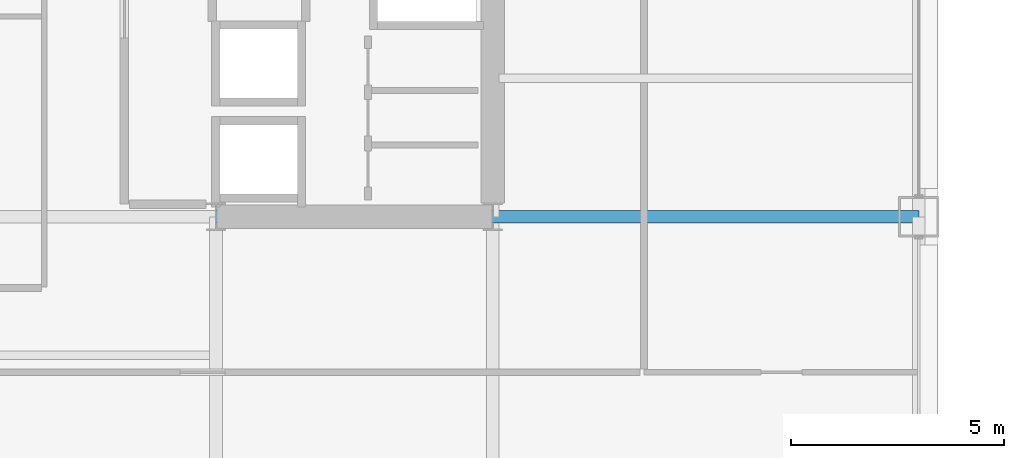
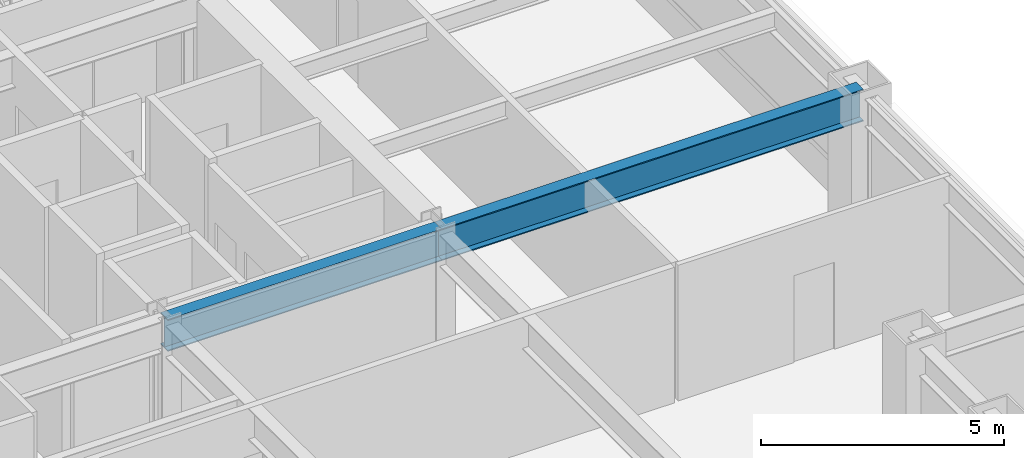
# One storey, part 11 of 31: 2 beams.
"""IFC4 building model written with IfcOpenShell, lengths in metres."""

from ifc_helpers import new_model, si_unit, direction, frame, origin, origin_2d, place, context, subcontext, project, spatial, i_section, extrude, material, material_profile, profile_set, type_object, element, save


model = new_model("IFC4")

# Units and contexts
model_context = context("Model", 3, precision=1e-05, world=origin(), true_north=direction((0.0, 1.0)))
body_context = subcontext(model_context, "Body", "Model", "MODEL_VIEW")
ifc_project = project(units=[si_unit("LENGTHUNIT", "METRE"), si_unit("AREAUNIT", "SQUARE_METRE"), si_unit("VOLUMEUNIT", "CUBIC_METRE"), si_unit("PLANEANGLEUNIT", "RADIAN"), si_unit("MASSUNIT", "GRAM", prefix="KILO")], contexts=[model_context])

# Site, building, storey
site_placement = place(None, origin())
site = spatial("IfcSite", under=ifc_project, at=site_placement, CompositionType="ELEMENT")
building_placement = place(site_placement, origin())
building = spatial("IfcBuilding", under=site, at=building_placement, Name="Brelmoor Portico Tower", CompositionType="ELEMENT")
storey_placement = place(building_placement, frame((0.0, 0.0, 38.39990234375)))
storey = spatial("IfcBuildingStorey", under=building, at=storey_placement, Name="L09", CompositionType="ELEMENT", Elevation=38.39990234375)

# Beams
ifc_material = material(Name="Steel Q355B", Category="steel")
ifc_material_profile = material_profile(ifc_material, i_section(OverallWidth=0.300048828125, OverallDepth=0.800048828125, WebThickness=0.013916015625, FlangeThickness=0.02587890625, at=origin_2d()), Name="HN 800x300x14x26")
ifc_profile_set = profile_set([ifc_material_profile], Name="Steel Q355B")
beam_type = type_object("IfcBeamType", Name="BM-PG-800", PredefinedType="BEAM", material=ifc_profile_set)
beam_1_placement = place(storey_placement, frame((8.050048828125, -9.75, 3.0), z_axis=(1.0, 0.0, 0.0), x_axis=(0.0, 1.0, 0.0)))
element("IfcBeam", 1, at=beam_1_placement, inside=storey, type_object=beam_type, Name="L09 Primary Floor Girder PG-22", PredefinedType="BEAM", context=body_context, shape_type="SweptSolid", body=[
    extrude(i_section(OverallWidth=0.300048828125, OverallDepth=0.800048828125, WebThickness=0.013916015625, FlangeThickness=0.02587890625, at=origin_2d()), origin(), (0.0, 0.0, 1.0), 6.5),
])
beam_2_placement = place(storey_placement, frame((14.550048828125, -9.75, 3.0), z_axis=(1.0, 0.0, 0.0), x_axis=(0.0, 1.0, 0.0)))
element("IfcBeam", 2, at=beam_2_placement, inside=storey, type_object=beam_type, Name="L09 Primary Floor Girder PG-23", PredefinedType="BEAM", context=body_context, shape_type="SweptSolid", body=[
    extrude(i_section(OverallWidth=0.300048828125, OverallDepth=0.800048828125, WebThickness=0.013916015625, FlangeThickness=0.02587890625, at=origin_2d()), origin(), (0.0, 0.0, 1.0), 10.0),
])

save(model, "model.ifc")
